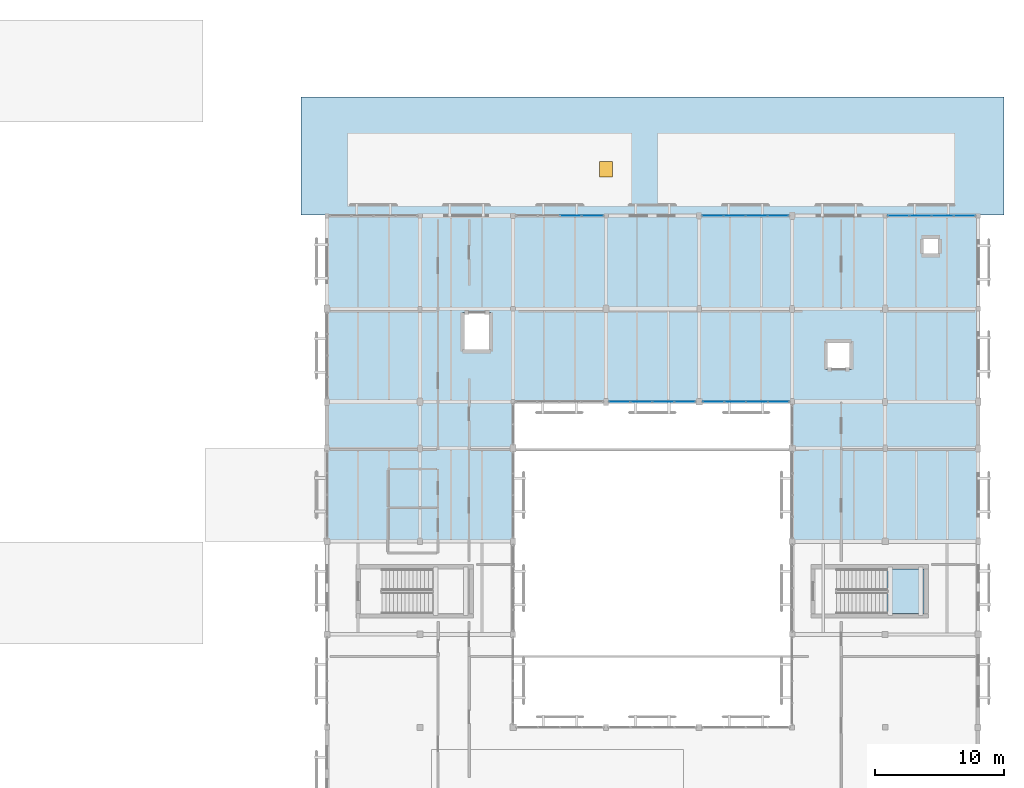
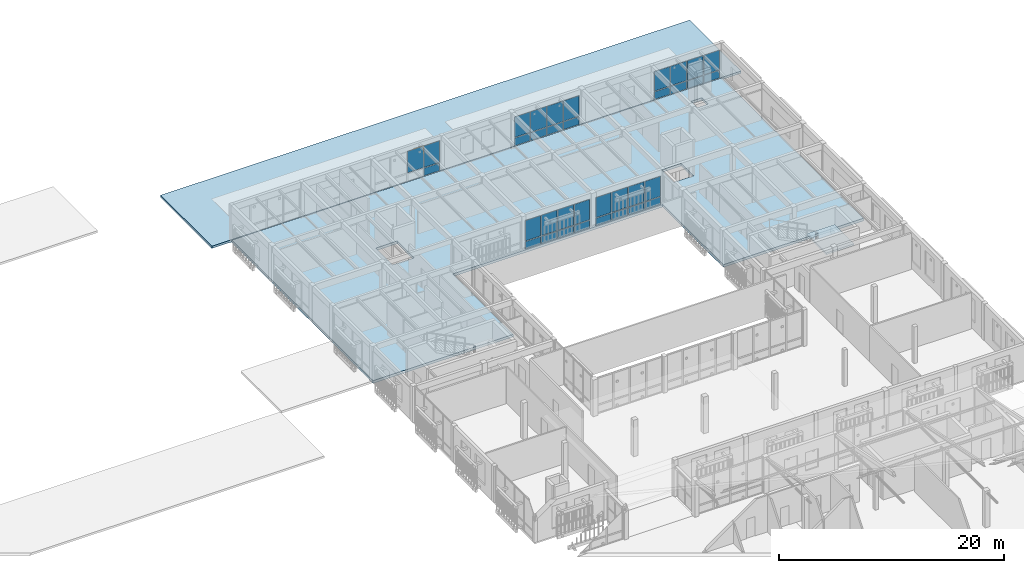
# One storey, part 78 of 112: 35 plates, 3 slabs, 1 door, 1 opening, 6 elements without a shape of their own.
"""IFC4 building model written with IfcOpenShell, lengths in metres."""

from ifc_helpers import new_model, si_unit, direction, frame, origin, origin_2d, place, context, subcontext, project, spatial, polyline, rectangle, outline, extrude, material, layer, layer_set, type_object, element, fill, aggregate, save


model = new_model("IFC4")

# Units and contexts
model_context = context("Model", 3, precision=1e-05, world=origin(), true_north=direction((0.0, 1.0)))
body_context = subcontext(model_context, "Body", "Model", "MODEL_VIEW")
ifc_project = project(units=[si_unit("LENGTHUNIT", "METRE"), si_unit("AREAUNIT", "SQUARE_METRE"), si_unit("VOLUMEUNIT", "CUBIC_METRE"), si_unit("PLANEANGLEUNIT", "RADIAN"), si_unit("MASSUNIT", "GRAM", prefix="KILO")], contexts=[model_context])

# Site, building, storey
site_placement = place(None, origin())
site = spatial("IfcSite", under=ifc_project, at=site_placement, CompositionType="ELEMENT")
building_placement = place(site_placement, origin())
building = spatial("IfcBuilding", under=site, at=building_placement, Name="Mazaris Harbour Polytechnic", CompositionType="ELEMENT")
storey_placement = place(building_placement, frame((0.0, 0.0, 13.800048828125)))
storey = spatial("IfcBuildingStorey", under=building, at=storey_placement, Name="L03", CompositionType="ELEMENT", Elevation=13.800048828125)

# Slab
ifc_material_1 = material(Name="Glulam GL28h and Concrete C30/37", Category="concrete")
ifc_layer_1 = layer(ifc_material_1, 0.280029296875, Name="Glulam GL28h and Concrete C30/37")
ifc_layer_set_1 = layer_set([ifc_layer_1], Name="Glulam GL28h and Concrete C30/37")
slab_type_1 = type_object("IfcSlabType", Name="CLT Composite Floor 280", PredefinedType="FLOOR", material=ifc_layer_set_1)
slab_1_placement = place(storey_placement, frame((0.0, 0.0, -0.280029296875)))
element("IfcSlab", 1, at=slab_1_placement, inside=storey, type_object=slab_type_1, Name="V5 L03 Floor Slab", PredefinedType="FLOOR", context=body_context, shape_type="SweptSolid", body=[
    extrude(outline(polyline([(172.800048828125, 75.60009765625), (158.39990234375, 75.60009765625), (158.39990234375, 86.39990234375), (136.800048828125, 86.39990234375), (136.800048828125, 75.60009765625), (122.39990234375, 75.60009765625), (122.39990234375, 100.800048828125), (172.800048828125, 100.800048828125), (172.800048828125, 75.60009765625)]), holes=[polyline([(135.10009765625, 93.300048828125), (132.89990234375, 93.300048828125), (132.89990234375, 90.300048828125), (135.10009765625, 90.300048828125), (135.10009765625, 93.300048828125)]), polyline([(163.0, 88.89990234375), (163.0, 91.10009765625), (161.0, 91.10009765625), (161.0, 88.89990234375), (163.0, 88.89990234375)]), polyline([(168.580078125, 99.0), (168.580078125, 97.8798828125), (169.699951171875, 97.8798828125), (169.699951171875, 99.0), (168.580078125, 99.0)])]), origin(), (0.0, 0.0, 1.0), 0.280029296875),
])

# Slab, opening, door
ifc_material_2 = material(Name="Glulam GL28h and Concrete C30/37", Category="concrete")
ifc_layer_2 = layer(ifc_material_2, 0.239990234375, Name="Glulam GL28h and Concrete C30/37")
ifc_layer_set_2 = layer_set([ifc_layer_2], Name="Glulam GL28h and Concrete C30/37")
slab_type_2 = type_object("IfcSlabType", Name="Insulated Flat Roof Slab 240", PredefinedType="ROOF", material=ifc_layer_set_2)
slab_2_placement = place(storey_placement, frame((0.0, 0.0, -0.239990234375)))
slab_2 = element("IfcSlab", 2, at=slab_2_placement, inside=storey, type_object=slab_type_2, Name="V5 North Setback Roof", PredefinedType="ROOF", context=body_context, shape_type="SweptSolid", body=[
    extrude(outline(polyline([(174.800048828125, 100.85009765625), (174.800048828125, 110.0), (120.39990234375, 110.0), (120.39990234375, 100.85009765625), (174.800048828125, 100.85009765625)])), origin(), (0.0, 0.0, 1.0), 0.239990234375),
])
opening_placement = place(slab_2_placement, frame((144.0, 104.39990234375, 0.0)))
opening = element("IfcOpeningElement", 3, at=opening_placement, cuts=slab_2, Name="Opening HT-01", PredefinedType="OPENING", context=body_context, shape_type="SweptSolid", body=[
    extrude(rectangle(XDim=1.0, YDim=1.199951171875, at=origin_2d()), origin(), (0.0, 0.0, 1.0), 0.239990234375),
])
ifc_material_3 = material(Name="Galvanised Steel S355", Category="steel")
door_type = type_object("IfcDoorType", Name="Insulated Roof Access Hatch 1000x1200", OperationType="SINGLE_SWING_LEFT", PredefinedType="TRAPDOOR", material=ifc_material_3)
door_placement = place(opening_placement, frame((0.0, 0.0, 0.18994140625)))
door = element("IfcDoor", 4, at=door_placement, inside=storey, type_object=door_type, Name="HT-03", OperationType="SINGLE_SWING_LEFT", OverallHeight=1.199951171875, OverallWidth=1.0, PredefinedType="TRAPDOOR", context=body_context, shape_type="SweptSolid", body=[
    extrude(rectangle(XDim=1.0, YDim=1.199951171875, at=origin_2d()), origin(), (0.0, 0.0, 1.0), 0.050048828125),
])
fill(opening, door)

# Stair, slab
ifc_material_4 = material(Name="Concrete C40/50", Category="concrete")
stair_type = type_object("IfcStairType", Name="Core Exit Stair H4200", PredefinedType="HALF_TURN_STAIR", material=ifc_material_4)
stair_placement = place(storey_placement, origin())
stair = element("IfcStair", 5, at=stair_placement, inside=storey, type_object=stair_type, Name="L03 ST10", PredefinedType="HALF_TURN_STAIR")
ifc_material_5 = material(Name="Concrete C40/50", Category="concrete")
ifc_layer_3 = layer(ifc_material_5, 0.199951171875, Name="Concrete C40/50")
ifc_layer_set_3 = layer_set([ifc_layer_3], Name="Concrete C40/50")
slab_type_3 = type_object("IfcSlabType", Name="RC Stair Landing 200", PredefinedType="LANDING", material=ifc_layer_set_3)
slab_3_placement = place(storey_placement, frame((0.0, 0.0, 1.89990234375)))
slab_3 = element("IfcSlab", 6, at=slab_3_placement, type_object=slab_type_3, Name="ST10 landing 1", PredefinedType="LANDING", context=body_context, shape_type="SweptSolid", body=[
    extrude(outline(polyline([(165.75, 70.0), (168.60009765625, 70.0), (168.60009765625, 73.449951171875), (165.75, 73.449951171875), (165.75, 70.0)])), origin(), (0.0, 0.0, 1.0), 0.199951171875),
])
aggregate(stair, [slab_3])

# Curtain wall, plates
ifc_material_6 = material(Name="Anodised Bronze Aluminium and Low-E Glass", Category="aluminium")
ifc_layer_4 = layer(ifc_material_6, 0.169921875, Name="Anodised Bronze Aluminium and Low-E Glass")
ifc_layer_set_4 = layer_set([ifc_layer_4], Name="Anodised Bronze Aluminium and Low-E Glass")
curtain_wall_type = type_object("IfcCurtainWallType", Name="Studio North-Light Curtain Wall", PredefinedType="NOTDEFINED", material=ifc_layer_set_4)
curtain_wall_1_placement = place(storey_placement, origin())
curtain_wall_1 = element("IfcCurtainWall", 7, at=curtain_wall_1_placement, inside=storey, type_object=curtain_wall_type, Name="V5 L03 Curtain Wall 250", PredefinedType="NOTDEFINED")
ifc_material_7 = material(Name="Solar-Control Low-E Glazing", Category="glass")
ifc_layer_5 = layer(ifc_material_7, 0.031982421875, Name="Solar-Control Low-E Glazing")
ifc_layer_set_5 = layer_set([ifc_layer_5], Name="Solar-Control Low-E Glazing")
plate_type = type_object("IfcPlateType", Name="Solar Control Studio Glass Panel 32", PredefinedType="CURTAIN_PANEL", material=ifc_layer_set_5)
plate_1_placement = place(storey_placement, frame((141.2744140625, 100.800048828125, 0.989990234375), z_axis=(0.0, 0.0, 1.0), x_axis=(1.0, 0.0, 0.0)))
plate_1 = element("IfcPlate", 8, at=plate_1_placement, type_object=plate_type, Name="CW-03 panel 3.2", PredefinedType="CURTAIN_PANEL", context=body_context, shape_type="SweptSolid", body=[
    extrude(rectangle(XDim=1.62890625, YDim=0.031982421875, at=origin_2d()), origin(), (0.0, 0.0, 1.0), 2.3349609375),
])
plate_2_placement = place(storey_placement, frame((142.96337890625, 100.800048828125, 0.079833984375), z_axis=(0.0, 0.0, 1.0), x_axis=(1.0, 0.0, 0.0)))
plate_2 = element("IfcPlate", 9, at=plate_2_placement, type_object=plate_type, Name="CW-03 panel 4.1", PredefinedType="CURTAIN_PANEL", context=body_context, shape_type="SweptSolid", body=[
    extrude(rectangle(XDim=1.589111328125, YDim=0.031982421875, at=origin_2d()), origin(), (0.0, 0.0, 1.0), 0.830078125),
])
plate_3_placement = place(storey_placement, frame((142.96337890625, 100.800048828125, 0.989990234375), z_axis=(0.0, 0.0, 1.0), x_axis=(1.0, 0.0, 0.0)))
plate_3 = element("IfcPlate", 10, at=plate_3_placement, type_object=plate_type, Name="CW-03 panel 4.2", PredefinedType="CURTAIN_PANEL", context=body_context, shape_type="SweptSolid", body=[
    extrude(rectangle(XDim=1.589111328125, YDim=0.031982421875, at=origin_2d()), origin(), (0.0, 0.0, 1.0), 2.3349609375),
])
aggregate(curtain_wall_1, [plate_1, plate_2, plate_3])

curtain_wall_2_placement = place(storey_placement, origin())
curtain_wall_2 = element("IfcCurtainWall", 11, at=curtain_wall_2_placement, inside=storey, type_object=curtain_wall_type, Name="V5 L03 Curtain Wall 251", PredefinedType="NOTDEFINED")
plate_4_placement = place(storey_placement, frame((152.261474609375, 100.800048828125, 0.079833984375), z_axis=(0.0, 0.0, 1.0), x_axis=(1.0, 0.0, 0.0)))
plate_4 = element("IfcPlate", 12, at=plate_4_placement, type_object=plate_type, Name="CW-03 panel 1.1", PredefinedType="CURTAIN_PANEL", context=body_context, shape_type="SweptSolid", body=[
    extrude(rectangle(XDim=1.5791015625, YDim=0.031982421875, at=origin_2d()), origin(), (0.0, 0.0, 1.0), 0.830078125),
])
plate_5_placement = place(storey_placement, frame((152.261474609375, 100.800048828125, 0.98974609375), z_axis=(0.0, 0.0, 1.0), x_axis=(1.0, 0.0, 0.0)))
plate_5 = element("IfcPlate", 13, at=plate_5_placement, type_object=plate_type, Name="CW-03 panel 1.2", PredefinedType="CURTAIN_PANEL", context=body_context, shape_type="SweptSolid", body=[
    extrude(rectangle(XDim=1.5791015625, YDim=0.031982421875, at=origin_2d()), origin(), (0.0, 0.0, 1.0), 2.215087890625),
])
plate_6_placement = place(storey_placement, frame((153.9404296875, 100.800048828125, 0.079833984375), z_axis=(0.0, 0.0, 1.0), x_axis=(1.0, 0.0, 0.0)))
plate_6 = element("IfcPlate", 14, at=plate_6_placement, type_object=plate_type, Name="CW-03 panel 2.1", PredefinedType="CURTAIN_PANEL", context=body_context, shape_type="SweptSolid", body=[
    extrude(rectangle(XDim=1.618896484375, YDim=0.031982421875, at=origin_2d()), origin(), (0.0, 0.0, 1.0), 0.830078125),
])
plate_7_placement = place(storey_placement, frame((153.9404296875, 100.800048828125, 0.98974609375), z_axis=(0.0, 0.0, 1.0), x_axis=(1.0, 0.0, 0.0)))
plate_7 = element("IfcPlate", 15, at=plate_7_placement, type_object=plate_type, Name="CW-03 panel 2.2", PredefinedType="CURTAIN_PANEL", context=body_context, shape_type="SweptSolid", body=[
    extrude(rectangle(XDim=1.618896484375, YDim=0.031982421875, at=origin_2d()), origin(), (0.0, 0.0, 1.0), 2.215087890625),
])
plate_8_placement = place(storey_placement, frame((155.639404296875, 100.800048828125, 0.079833984375), z_axis=(0.0, 0.0, 1.0), x_axis=(1.0, 0.0, 0.0)))
plate_8 = element("IfcPlate", 16, at=plate_8_placement, type_object=plate_type, Name="CW-03 panel 3.1", PredefinedType="CURTAIN_PANEL", context=body_context, shape_type="SweptSolid", body=[
    extrude(rectangle(XDim=1.618896484375, YDim=0.031982421875, at=origin_2d()), origin(), (0.0, 0.0, 1.0), 0.830078125),
])
plate_9_placement = place(storey_placement, frame((155.639404296875, 100.800048828125, 0.98974609375), z_axis=(0.0, 0.0, 1.0), x_axis=(1.0, 0.0, 0.0)))
plate_9 = element("IfcPlate", 17, at=plate_9_placement, type_object=plate_type, Name="CW-03 panel 3.2", PredefinedType="CURTAIN_PANEL", context=body_context, shape_type="SweptSolid", body=[
    extrude(rectangle(XDim=1.618896484375, YDim=0.031982421875, at=origin_2d()), origin(), (0.0, 0.0, 1.0), 2.215087890625),
])
plate_10_placement = place(storey_placement, frame((157.318603515625, 100.800048828125, 0.079833984375), z_axis=(0.0, 0.0, 1.0), x_axis=(1.0, 0.0, 0.0)))
plate_10 = element("IfcPlate", 18, at=plate_10_placement, type_object=plate_type, Name="CW-03 panel 4.1", PredefinedType="CURTAIN_PANEL", context=body_context, shape_type="SweptSolid", body=[
    extrude(rectangle(XDim=1.5791015625, YDim=0.031982421875, at=origin_2d()), origin(), (0.0, 0.0, 1.0), 0.830078125),
])
plate_11_placement = place(storey_placement, frame((157.318603515625, 100.800048828125, 0.98974609375), z_axis=(0.0, 0.0, 1.0), x_axis=(1.0, 0.0, 0.0)))
plate_11 = element("IfcPlate", 19, at=plate_11_placement, type_object=plate_type, Name="CW-03 panel 4.2", PredefinedType="CURTAIN_PANEL", context=body_context, shape_type="SweptSolid", body=[
    extrude(rectangle(XDim=1.5791015625, YDim=0.031982421875, at=origin_2d()), origin(), (0.0, 0.0, 1.0), 2.215087890625),
])
aggregate(curtain_wall_2, [plate_4, plate_5, plate_6, plate_7, plate_8, plate_9, plate_10, plate_11])

curtain_wall_3_placement = place(storey_placement, origin())
curtain_wall_3 = element("IfcCurtainWall", 20, at=curtain_wall_3_placement, inside=storey, type_object=curtain_wall_type, Name="V5 L03 Curtain Wall 252", PredefinedType="NOTDEFINED")
plate_12_placement = place(storey_placement, frame((166.638916015625, 100.800048828125, 0.079833984375), z_axis=(0.0, 0.0, 1.0), x_axis=(1.0, 0.0, 0.0)))
plate_12 = element("IfcPlate", 21, at=plate_12_placement, type_object=plate_type, Name="CW-03 panel 1.1", PredefinedType="CURTAIN_PANEL", context=body_context, shape_type="SweptSolid", body=[
    extrude(rectangle(XDim=1.593994140625, YDim=0.031982421875, at=origin_2d()), origin(), (0.0, 0.0, 1.0), 0.830078125),
])
plate_13_placement = place(storey_placement, frame((166.638916015625, 100.800048828125, 0.98974609375), z_axis=(0.0, 0.0, 1.0), x_axis=(1.0, 0.0, 0.0)))
plate_13 = element("IfcPlate", 22, at=plate_13_placement, type_object=plate_type, Name="CW-03 panel 1.2", PredefinedType="CURTAIN_PANEL", context=body_context, shape_type="SweptSolid", body=[
    extrude(rectangle(XDim=1.593994140625, YDim=0.031982421875, at=origin_2d()), origin(), (0.0, 0.0, 1.0), 2.114990234375),
])
plate_14_placement = place(storey_placement, frame((168.3330078125, 100.800048828125, 0.079833984375), z_axis=(0.0, 0.0, 1.0), x_axis=(1.0, 0.0, 0.0)))
plate_14 = element("IfcPlate", 23, at=plate_14_placement, type_object=plate_type, Name="CW-03 panel 2.1", PredefinedType="CURTAIN_PANEL", context=body_context, shape_type="SweptSolid", body=[
    extrude(rectangle(XDim=1.634033203125, YDim=0.031982421875, at=origin_2d()), origin(), (0.0, 0.0, 1.0), 0.830078125),
])
plate_15_placement = place(storey_placement, frame((168.3330078125, 100.800048828125, 0.98974609375), z_axis=(0.0, 0.0, 1.0), x_axis=(1.0, 0.0, 0.0)))
plate_15 = element("IfcPlate", 24, at=plate_15_placement, type_object=plate_type, Name="CW-03 panel 2.2", PredefinedType="CURTAIN_PANEL", context=body_context, shape_type="SweptSolid", body=[
    extrude(rectangle(XDim=1.634033203125, YDim=0.031982421875, at=origin_2d()), origin(), (0.0, 0.0, 1.0), 2.114990234375),
])
plate_16_placement = place(storey_placement, frame((170.047119140625, 100.800048828125, 0.079833984375), z_axis=(0.0, 0.0, 1.0), x_axis=(1.0, 0.0, 0.0)))
plate_16 = element("IfcPlate", 25, at=plate_16_placement, type_object=plate_type, Name="CW-03 panel 3.1", PredefinedType="CURTAIN_PANEL", context=body_context, shape_type="SweptSolid", body=[
    extrude(rectangle(XDim=1.634033203125, YDim=0.031982421875, at=origin_2d()), origin(), (0.0, 0.0, 1.0), 0.830078125),
])
plate_17_placement = place(storey_placement, frame((170.047119140625, 100.800048828125, 0.98974609375), z_axis=(0.0, 0.0, 1.0), x_axis=(1.0, 0.0, 0.0)))
plate_17 = element("IfcPlate", 26, at=plate_17_placement, type_object=plate_type, Name="CW-03 panel 3.2", PredefinedType="CURTAIN_PANEL", context=body_context, shape_type="SweptSolid", body=[
    extrude(rectangle(XDim=1.634033203125, YDim=0.031982421875, at=origin_2d()), origin(), (0.0, 0.0, 1.0), 2.114990234375),
])
plate_18_placement = place(storey_placement, frame((171.740966796875, 100.800048828125, 0.079833984375), z_axis=(0.0, 0.0, 1.0), x_axis=(1.0, 0.0, 0.0)))
plate_18 = element("IfcPlate", 27, at=plate_18_placement, type_object=plate_type, Name="CW-03 panel 4.1", PredefinedType="CURTAIN_PANEL", context=body_context, shape_type="SweptSolid", body=[
    extrude(rectangle(XDim=1.593994140625, YDim=0.031982421875, at=origin_2d()), origin(), (0.0, 0.0, 1.0), 0.830078125),
])
plate_19_placement = place(storey_placement, frame((171.740966796875, 100.800048828125, 0.98974609375), z_axis=(0.0, 0.0, 1.0), x_axis=(1.0, 0.0, 0.0)))
plate_19 = element("IfcPlate", 28, at=plate_19_placement, type_object=plate_type, Name="CW-03 panel 4.2", PredefinedType="CURTAIN_PANEL", context=body_context, shape_type="SweptSolid", body=[
    extrude(rectangle(XDim=1.593994140625, YDim=0.031982421875, at=origin_2d()), origin(), (0.0, 0.0, 1.0), 2.114990234375),
])
aggregate(curtain_wall_3, [plate_12, plate_13, plate_14, plate_15, plate_16, plate_17, plate_18, plate_19])

curtain_wall_4_placement = place(storey_placement, origin())
curtain_wall_4 = element("IfcCurtainWall", 29, at=curtain_wall_4_placement, inside=storey, type_object=curtain_wall_type, Name="V5 L03 Curtain Wall 261", PredefinedType="NOTDEFINED")
plate_20_placement = place(storey_placement, frame((150.09228515625, 86.39990234375, 0.079833984375), z_axis=(0.0, 0.0, 1.0), x_axis=(-1.0, 0.0, 0.0)))
plate_20 = element("IfcPlate", 30, at=plate_20_placement, type_object=plate_type, Name="CW-03 panel 1.1", PredefinedType="CURTAIN_PANEL", context=body_context, shape_type="SweptSolid", body=[
    extrude(rectangle(XDim=1.571533203125, YDim=0.031982421875, at=origin_2d()), origin(), (0.0, 0.0, 1.0), 0.830078125),
])
plate_21_placement = place(storey_placement, frame((150.09228515625, 86.39990234375, 0.98974609375), z_axis=(0.0, 0.0, 1.0), x_axis=(-1.0, 0.0, 0.0)))
plate_21 = element("IfcPlate", 31, at=plate_21_placement, type_object=plate_type, Name="CW-03 panel 1.2", PredefinedType="CURTAIN_PANEL", context=body_context, shape_type="SweptSolid", body=[
    extrude(rectangle(XDim=1.571533203125, YDim=0.031982421875, at=origin_2d()), origin(), (0.0, 0.0, 1.0), 2.215087890625),
])
plate_22_placement = place(storey_placement, frame((148.420654296875, 86.39990234375, 0.079833984375), z_axis=(0.0, 0.0, 1.0), x_axis=(-1.0, 0.0, 0.0)))
plate_22 = element("IfcPlate", 32, at=plate_22_placement, type_object=plate_type, Name="CW-03 panel 2.1", PredefinedType="CURTAIN_PANEL", context=body_context, shape_type="SweptSolid", body=[
    extrude(rectangle(XDim=1.611572265625, YDim=0.031982421875, at=origin_2d()), origin(), (0.0, 0.0, 1.0), 0.830078125),
])
plate_23_placement = place(storey_placement, frame((148.420654296875, 86.39990234375, 0.98974609375), z_axis=(0.0, 0.0, 1.0), x_axis=(-1.0, 0.0, 0.0)))
plate_23 = element("IfcPlate", 33, at=plate_23_placement, type_object=plate_type, Name="CW-03 panel 2.2", PredefinedType="CURTAIN_PANEL", context=body_context, shape_type="SweptSolid", body=[
    extrude(rectangle(XDim=1.611572265625, YDim=0.031982421875, at=origin_2d()), origin(), (0.0, 0.0, 1.0), 2.215087890625),
])
plate_24_placement = place(storey_placement, frame((146.729248046875, 86.39990234375, 0.079833984375), z_axis=(0.0, 0.0, 1.0), x_axis=(-1.0, 0.0, 0.0)))
plate_24 = element("IfcPlate", 34, at=plate_24_placement, type_object=plate_type, Name="CW-03 panel 3.1", PredefinedType="CURTAIN_PANEL", context=body_context, shape_type="SweptSolid", body=[
    extrude(rectangle(XDim=1.611572265625, YDim=0.031982421875, at=origin_2d()), origin(), (0.0, 0.0, 1.0), 0.830078125),
])
plate_25_placement = place(storey_placement, frame((146.729248046875, 86.39990234375, 0.98974609375), z_axis=(0.0, 0.0, 1.0), x_axis=(-1.0, 0.0, 0.0)))
plate_25 = element("IfcPlate", 35, at=plate_25_placement, type_object=plate_type, Name="CW-03 panel 3.2", PredefinedType="CURTAIN_PANEL", context=body_context, shape_type="SweptSolid", body=[
    extrude(rectangle(XDim=1.611572265625, YDim=0.031982421875, at=origin_2d()), origin(), (0.0, 0.0, 1.0), 2.215087890625),
])
plate_26_placement = place(storey_placement, frame((145.057861328125, 86.39990234375, 0.079833984375), z_axis=(0.0, 0.0, 1.0), x_axis=(-1.0, 0.0, 0.0)))
plate_26 = element("IfcPlate", 36, at=plate_26_placement, type_object=plate_type, Name="CW-03 panel 4.1", PredefinedType="CURTAIN_PANEL", context=body_context, shape_type="SweptSolid", body=[
    extrude(rectangle(XDim=1.571533203125, YDim=0.031982421875, at=origin_2d()), origin(), (0.0, 0.0, 1.0), 0.830078125),
])
plate_27_placement = place(storey_placement, frame((145.057861328125, 86.39990234375, 0.98974609375), z_axis=(0.0, 0.0, 1.0), x_axis=(-1.0, 0.0, 0.0)))
plate_27 = element("IfcPlate", 37, at=plate_27_placement, type_object=plate_type, Name="CW-03 panel 4.2", PredefinedType="CURTAIN_PANEL", context=body_context, shape_type="SweptSolid", body=[
    extrude(rectangle(XDim=1.571533203125, YDim=0.031982421875, at=origin_2d()), origin(), (0.0, 0.0, 1.0), 2.215087890625),
])
aggregate(curtain_wall_4, [plate_20, plate_21, plate_22, plate_23, plate_24, plate_25, plate_26, plate_27])

curtain_wall_5_placement = place(storey_placement, origin())
curtain_wall_5 = element("IfcCurtainWall", 38, at=curtain_wall_5_placement, inside=storey, type_object=curtain_wall_type, Name="V5 L03 Curtain Wall 262", PredefinedType="NOTDEFINED")
plate_28_placement = place(storey_placement, frame((157.35986328125, 86.39990234375, 0.079833984375), z_axis=(0.0, 0.0, 1.0), x_axis=(-1.0, 0.0, 0.0)))
plate_28 = element("IfcPlate", 39, at=plate_28_placement, type_object=plate_type, Name="CW-03 panel 1.1", PredefinedType="CURTAIN_PANEL", context=body_context, shape_type="SweptSolid", body=[
    extrude(rectangle(XDim=1.576416015625, YDim=0.031982421875, at=origin_2d()), origin(), (0.0, 0.0, 1.0), 0.830078125),
])
plate_29_placement = place(storey_placement, frame((157.35986328125, 86.39990234375, 0.98974609375), z_axis=(0.0, 0.0, 1.0), x_axis=(-1.0, 0.0, 0.0)))
plate_29 = element("IfcPlate", 40, at=plate_29_placement, type_object=plate_type, Name="CW-03 panel 1.2", PredefinedType="CURTAIN_PANEL", context=body_context, shape_type="SweptSolid", body=[
    extrude(rectangle(XDim=1.576416015625, YDim=0.031982421875, at=origin_2d()), origin(), (0.0, 0.0, 1.0), 2.175048828125),
])
plate_30_placement = place(storey_placement, frame((155.683349609375, 86.39990234375, 0.079833984375), z_axis=(0.0, 0.0, 1.0), x_axis=(-1.0, 0.0, 0.0)))
plate_30 = element("IfcPlate", 41, at=plate_30_placement, type_object=plate_type, Name="CW-03 panel 2.1", PredefinedType="CURTAIN_PANEL", context=body_context, shape_type="SweptSolid", body=[
    extrude(rectangle(XDim=1.616455078125, YDim=0.031982421875, at=origin_2d()), origin(), (0.0, 0.0, 1.0), 0.830078125),
])
plate_31_placement = place(storey_placement, frame((155.683349609375, 86.39990234375, 0.98974609375), z_axis=(0.0, 0.0, 1.0), x_axis=(-1.0, 0.0, 0.0)))
plate_31 = element("IfcPlate", 42, at=plate_31_placement, type_object=plate_type, Name="CW-03 panel 2.2", PredefinedType="CURTAIN_PANEL", context=body_context, shape_type="SweptSolid", body=[
    extrude(rectangle(XDim=1.616455078125, YDim=0.031982421875, at=origin_2d()), origin(), (0.0, 0.0, 1.0), 2.175048828125),
])
plate_32_placement = place(storey_placement, frame((153.98681640625, 86.39990234375, 0.079833984375), z_axis=(0.0, 0.0, 1.0), x_axis=(-1.0, 0.0, 0.0)))
plate_32 = element("IfcPlate", 43, at=plate_32_placement, type_object=plate_type, Name="CW-03 panel 3.1", PredefinedType="CURTAIN_PANEL", context=body_context, shape_type="SweptSolid", body=[
    extrude(rectangle(XDim=1.616455078125, YDim=0.031982421875, at=origin_2d()), origin(), (0.0, 0.0, 1.0), 0.830078125),
])
plate_33_placement = place(storey_placement, frame((153.98681640625, 86.39990234375, 0.98974609375), z_axis=(0.0, 0.0, 1.0), x_axis=(-1.0, 0.0, 0.0)))
plate_33 = element("IfcPlate", 44, at=plate_33_placement, type_object=plate_type, Name="CW-03 panel 3.2", PredefinedType="CURTAIN_PANEL", context=body_context, shape_type="SweptSolid", body=[
    extrude(rectangle(XDim=1.616455078125, YDim=0.031982421875, at=origin_2d()), origin(), (0.0, 0.0, 1.0), 2.175048828125),
])
plate_34_placement = place(storey_placement, frame((152.310302734375, 86.39990234375, 0.079833984375), z_axis=(0.0, 0.0, 1.0), x_axis=(-1.0, 0.0, 0.0)))
plate_34 = element("IfcPlate", 45, at=plate_34_placement, type_object=plate_type, Name="CW-03 panel 4.1", PredefinedType="CURTAIN_PANEL", context=body_context, shape_type="SweptSolid", body=[
    extrude(rectangle(XDim=1.576416015625, YDim=0.031982421875, at=origin_2d()), origin(), (0.0, 0.0, 1.0), 0.830078125),
])
plate_35_placement = place(storey_placement, frame((152.310302734375, 86.39990234375, 0.98974609375), z_axis=(0.0, 0.0, 1.0), x_axis=(-1.0, 0.0, 0.0)))
plate_35 = element("IfcPlate", 46, at=plate_35_placement, type_object=plate_type, Name="CW-03 panel 4.2", PredefinedType="CURTAIN_PANEL", context=body_context, shape_type="SweptSolid", body=[
    extrude(rectangle(XDim=1.576416015625, YDim=0.031982421875, at=origin_2d()), origin(), (0.0, 0.0, 1.0), 2.175048828125),
])
aggregate(curtain_wall_5, [plate_28, plate_29, plate_30, plate_31, plate_32, plate_33, plate_34, plate_35])

save(model, "model.ifc")
